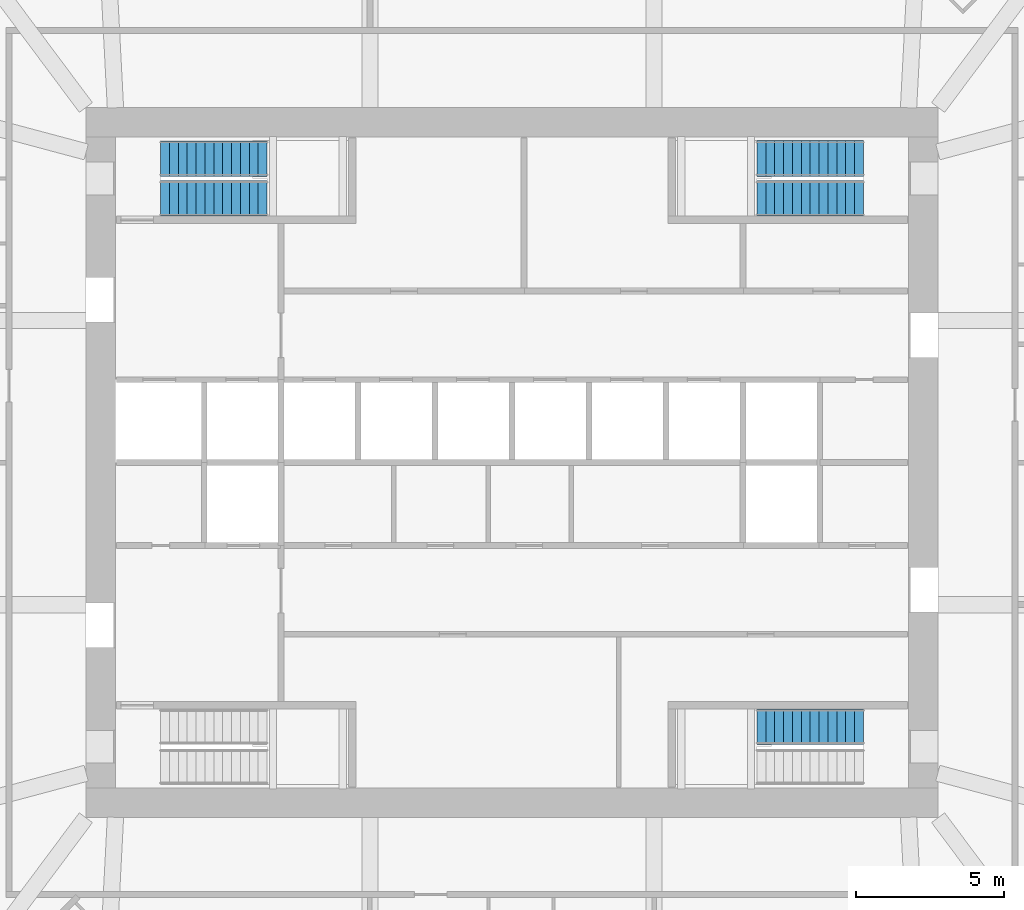
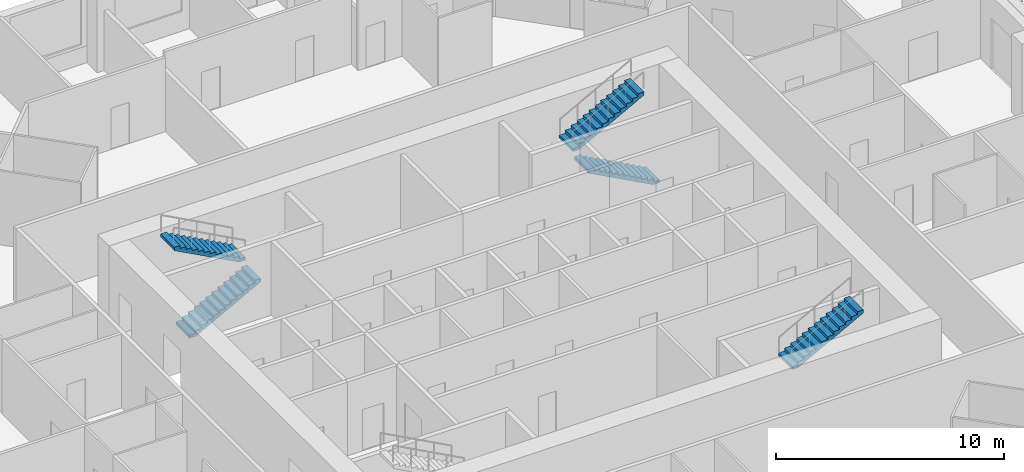
# One storey, part 11 of 13: 5 stair flights, 3 elements without a shape of their own.
"""IFC4 building model written with IfcOpenShell, lengths in metres."""

import ifcopenshell
import ifcopenshell.guid

model = None  # the IFC model being written
_history = None  # IfcOwnerHistory: only IFC2X3 demands one
_inside = {}  # id of a spatial element -> (the spatial element, [elements in it])
_under = {}  # id of a project, library or spatial element -> (it, [spatial elements below it])
_declared = {}  # id of a project -> (the project, [libraries it declares])
_typed = {}  # id of a type object -> (the type object, [elements of that type])
_made_of = {}  # id of a material, layer set ... -> (it, [elements and type objects made of it])


def new_model(schema):
    """Start an empty IFC model of exactly this schema.

    Asked for "IFC4X3", IfcOpenShell would pick the latest addendum, in which some entities
    have other attributes; the version numbers below select the first issue.
    IFC2X3 requires an IfcOwnerHistory on every rooted entity: one is made here for all.
    """
    global model, _history
    if schema == "IFC4X3":
        model = ifcopenshell.file(schema_version=(4, 3, 0, 0))
    else:
        model = ifcopenshell.file(schema=schema)
    _inside.clear()
    _under.clear()
    _declared.clear()
    _typed.clear()
    _made_of.clear()
    _history = None
    if model.schema == "IFC2X3":
        org = make("IfcOrganization", Name="unknown")
        user = make(
            "IfcPersonAndOrganization",
            ThePerson=make("IfcPerson", FamilyName="unknown"),
            TheOrganization=org,
        )
        app = make(
            "IfcApplication",
            ApplicationDeveloper=org,
            Version="unknown",
            ApplicationFullName="unknown",
            ApplicationIdentifier="unknown",
        )
        _history = make(
            "IfcOwnerHistory",
            OwningUser=user,
            OwningApplication=app,
            ChangeAction="ADDED",
            CreationDate=0,
        )
    return model


def make(cls, **values):
    """One entity of the class cls with the attributes given. An attribute that is None is left unset."""
    return model.create_entity(
        cls, **{name: value for name, value in values.items() if value is not None}
    )


def rooted(cls, **values):
    """An entity with a GlobalId (a new one), such as an element, a storey or a relation."""
    return make(cls, GlobalId=ifcopenshell.guid.new(), OwnerHistory=_history, **values)


def si_unit(unit_type, name, prefix=None):
    """IfcSIUnit, for example si_unit("LENGTHUNIT", "METRE", prefix="MILLI")."""
    return make("IfcSIUnit", UnitType=unit_type, Prefix=prefix, Name=name)


def assignment(units):
    """IfcUnitAssignment: the units of a project."""
    return None if units is None else make("IfcUnitAssignment", Units=units)


def point(xyz):
    """IfcCartesianPoint."""
    return None if xyz is None else make("IfcCartesianPoint", Coordinates=xyz)


def direction(xyz):
    """IfcDirection."""
    return None if xyz is None else make("IfcDirection", DirectionRatios=xyz)


def frame(location, z_axis=None, x_axis=None):
    """IfcAxis2Placement3D, a coordinate frame: its origin and axes. An axis left out is left unset."""
    return make(
        "IfcAxis2Placement3D",
        Location=point(location),
        Axis=direction(z_axis),
        RefDirection=direction(x_axis),
    )


def origin():
    """The frame at (0, 0, 0) with its axes left unset."""
    return frame((0.0, 0.0, 0.0))


def place(relative_to, where):
    """IfcLocalPlacement: puts the frame where relative to a parent placement (None: the world)."""
    return make(
        "IfcLocalPlacement", PlacementRelTo=relative_to, RelativePlacement=where
    )


def context(
    kind, dimensions, precision=None, world=None, true_north=None, identifier=None
):
    """IfcGeometricRepresentationContext, for example the 3D "Model" context."""
    return make(
        "IfcGeometricRepresentationContext",
        ContextIdentifier=identifier,
        ContextType=kind,
        CoordinateSpaceDimension=dimensions,
        Precision=precision,
        WorldCoordinateSystem=world,
        TrueNorth=true_north,
    )


def subcontext(parent, identifier, kind, view, scale=None):
    """IfcGeometricRepresentationSubContext, for example "Body" below "Model"."""
    return make(
        "IfcGeometricRepresentationSubContext",
        ContextIdentifier=identifier,
        ContextType=kind,
        ParentContext=parent,
        TargetScale=scale,
        TargetView=view,
    )


def project(units=None, contexts=None):
    """IfcProject with its units and contexts."""
    return rooted(
        "IfcProject",
        Name="project",
        RepresentationContexts=contexts,
        UnitsInContext=assignment(units),
    )


def spatial(cls, under=None, at=None, **own):
    """A site, building, storey or space (cls), placed at a placement, below another one or the project."""
    s = rooted(cls, ObjectPlacement=at, **own)
    if under is not None:
        _under.setdefault(under.id(), (under, []))[1].append(s)
    return s


def polyline(points):
    """IfcPolyline through the points."""
    return make("IfcPolyline", Points=[point(p) for p in points])


def outline(outer, holes=None, kind="AREA"):
    """IfcArbitraryClosedProfileDef: a profile drawn as a closed curve; with holes, ...WithVoids."""
    if holes is None:
        return make("IfcArbitraryClosedProfileDef", ProfileType=kind, OuterCurve=outer)
    return make(
        "IfcArbitraryProfileDefWithVoids",
        ProfileType=kind,
        OuterCurve=outer,
        InnerCurves=holes,
    )


def extrude(swept, where, along, depth):
    """IfcExtrudedAreaSolid: the profile swept, set in the frame where, extruded along a direction by depth."""
    return make(
        "IfcExtrudedAreaSolid",
        SweptArea=swept,
        Position=where,
        ExtrudedDirection=direction(along),
        Depth=depth,
    )


def shape(context_of_items, identifier, shape_type, items):
    """IfcShapeRepresentation: the items that make up one representation, for example the "Body"."""
    return make(
        "IfcShapeRepresentation",
        ContextOfItems=context_of_items,
        RepresentationIdentifier=identifier,
        RepresentationType=shape_type,
        Items=items,
    )


def material(Name=None, Category=None):
    """IfcMaterial."""
    return make("IfcMaterial", Name=Name, Category=Category)


def made_of(thing, what):
    """Note that an element or type object is made of a material, layer set ...; save() writes the relation."""
    if what is not None:
        _made_of.setdefault(what.id(), (what, []))[1].append(thing)
    return thing


def type_object(cls, material=None, **own):
    """A type object (cls), such as IfcWallType, which elements share."""
    return made_of(rooted(cls, **own), material)


def element(
    cls,
    number,
    at=None,
    inside=None,
    cuts=None,
    type_object=None,
    material=None,
    context=None,
    identifier="Body",
    shape_type=None,
    held_by="IfcProductDefinitionShape",
    body=None,
    shapes=None,
    **own,
):
    """One element of the class cls, such as IfcWall. Its Tag is "e" and its number.

    at: its placement. inside: the storey or other place that contains it. cuts: it is an
    opening in that element (IfcRelVoidsElement). A single representation is given by context,
    identifier, shape_type and body (its items); several are given by shapes. held_by: the class
    of the entity that holds the representations. save() writes the other relations.
    """
    e = rooted(cls, Tag="e%d" % number, ObjectPlacement=at, **own)
    if body is not None:
        shapes = [shape(context, identifier, shape_type, body)]
    if shapes is not None:
        e.Representation = make(held_by, Representations=shapes)
    if inside is not None:
        _inside.setdefault(inside.id(), (inside, []))[1].append(e)
    if cuts is not None:
        rooted(
            "IfcRelVoidsElement", RelatingBuildingElement=cuts, RelatedOpeningElement=e
        )
    if type_object is not None:
        _typed.setdefault(type_object.id(), (type_object, []))[1].append(e)
    return made_of(e, material)


def aggregate(whole, parts):
    """IfcRelAggregates: a whole, such as a stair, and the parts it consists of."""
    return rooted("IfcRelAggregates", RelatingObject=whole, RelatedObjects=parts)


def save(model, path):
    """Write the relations noted so far, then the file.

    IfcRelAggregates (storeys below a building ...), IfcRelContainedInSpatialStructure (elements
    in a storey), IfcRelDefinesByType, IfcRelAssociatesMaterial and IfcRelDeclares: one each for
    every whole, place, type object, material and project.
    """
    for whole, parts in _under.values():
        aggregate(whole, parts)
    for where, things in _inside.values():
        rooted(
            "IfcRelContainedInSpatialStructure",
            RelatedElements=things,
            RelatingStructure=where,
        )
    for kind, things in _typed.values():
        rooted("IfcRelDefinesByType", RelatedObjects=things, RelatingType=kind)
    for what, things in _made_of.values():
        rooted("IfcRelAssociatesMaterial", RelatedObjects=things, RelatingMaterial=what)
    for by, libraries in _declared.values():
        rooted("IfcRelDeclares", RelatingContext=by, RelatedDefinitions=libraries)
    model.write(path)


model = new_model("IFC4")

# Units and contexts
model_context = context("Model", 3, precision=1e-05, world=origin(), true_north=direction((0.0, 1.0)))
body_context = subcontext(model_context, "Body", "Model", "MODEL_VIEW")
ifc_project = project(units=[si_unit("LENGTHUNIT", "METRE"), si_unit("AREAUNIT", "SQUARE_METRE"), si_unit("VOLUMEUNIT", "CUBIC_METRE"), si_unit("PLANEANGLEUNIT", "RADIAN"), si_unit("MASSUNIT", "GRAM", prefix="KILO")], contexts=[model_context])

# Site, building, storey
site_placement = place(None, origin())
site = spatial("IfcSite", under=ifc_project, at=site_placement, CompositionType="ELEMENT")
building_placement = place(site_placement, origin())
building = spatial("IfcBuilding", under=site, at=building_placement, Name="Msitu Wima Residences", CompositionType="ELEMENT")
storey_placement = place(building_placement, frame((0.0, 0.0, 59.10009765625)))
storey = spatial("IfcBuildingStorey", under=building, at=storey_placement, Name="L13", CompositionType="ELEMENT", Elevation=59.10009765625)

# Stair, stair flights
ifc_material = material(Name="Concrete C40/50", Category="concrete")
stair_type = type_object("IfcStairType", Name="Exit stair ES1615-120", PredefinedType="HALF_TURN_STAIR", material=ifc_material)
stair_1_placement = place(storey_placement, origin())
stair_1 = element("IfcStair", 1, at=stair_1_placement, inside=storey, type_object=stair_type, Name="Exit stair 1", PredefinedType="HALF_TURN_STAIR")
stair_flight_type = type_object("IfcStairFlightType", Name="Exit stair flight ES1615-120", PredefinedType="STRAIGHT", material=ifc_material)
stair_flight_1_placement = place(storey_placement, frame((-11.875, 8.925048828125, 0.0), z_axis=(0.0, 0.0, 1.0), x_axis=(1.0, 0.0, 0.0)))
stair_flight_1 = element("IfcStairFlight", 2, at=stair_flight_1_placement, type_object=stair_flight_type, Name="S1 flight 1", NumberOfRisers=13, NumberOfTreads=12, PredefinedType="STRAIGHT", RiserHeight=0.161538462, TreadLength=0.3, context=body_context, shape_type="SweptSolid", body=[
    extrude(outline(polyline([(0.0, 0.0), (0.0, 0.16162109375), (0.300048828125, 0.16162109375), (0.300048828125, 0.322998046875), (0.60009765625, 0.322998046875), (0.60009765625, 0.484619140625), (0.89990234375, 0.484619140625), (0.89990234375, 0.646240234375), (1.199951171875, 0.646240234375), (1.199951171875, 0.8076171875), (1.5, 0.8076171875), (1.5, 0.96923828125), (1.800048828125, 0.96923828125), (1.800048828125, 1.130859375), (2.10009765625, 1.130859375), (2.10009765625, 1.292236328125), (2.39990234375, 1.292236328125), (2.39990234375, 1.453857421875), (2.699951171875, 1.453857421875), (2.699951171875, 1.615478515625), (3.0, 1.615478515625), (3.0, 1.77685546875), (3.300048828125, 1.77685546875), (3.300048828125, 1.9384765625), (3.60009765625, 1.9384765625), (3.60009765625, 2.10009765625), (3.60009765625, 1.768310546875), (0.316162109375, 0.0), (0.0, 0.0)])), frame((0.0, 0.60009765625, 0.0), z_axis=(0.0, -1.0, 0.0), x_axis=(1.0, 0.0, 0.0)), (0.0, 0.0, 1.0), 1.199951171875),
])
stair_flight_2_placement = place(storey_placement, frame((-8.27490234375, 10.27490234375, 2.099853515625), z_axis=(0.0, 0.0, 1.0), x_axis=(-1.0, 0.0, 0.0)))
stair_flight_2 = element("IfcStairFlight", 3, at=stair_flight_2_placement, type_object=stair_flight_type, Name="S1 flight 2", NumberOfRisers=13, NumberOfTreads=12, PredefinedType="STRAIGHT", RiserHeight=0.161538462, TreadLength=0.3, context=body_context, shape_type="SweptSolid", body=[
    extrude(outline(polyline([(0.0, 0.0), (0.0, 0.16162109375), (0.300048828125, 0.16162109375), (0.300048828125, 0.322998046875), (0.60009765625, 0.322998046875), (0.60009765625, 0.484619140625), (0.89990234375, 0.484619140625), (0.89990234375, 0.646240234375), (1.199951171875, 0.646240234375), (1.199951171875, 0.8076171875), (1.5, 0.8076171875), (1.5, 0.96923828125), (1.800048828125, 0.96923828125), (1.800048828125, 1.130859375), (2.10009765625, 1.130859375), (2.10009765625, 1.292236328125), (2.39990234375, 1.292236328125), (2.39990234375, 1.453857421875), (2.699951171875, 1.453857421875), (2.699951171875, 1.615478515625), (3.0, 1.615478515625), (3.0, 1.77685546875), (3.300048828125, 1.77685546875), (3.300048828125, 1.9384765625), (3.60009765625, 1.9384765625), (3.60009765625, 2.10009765625), (3.60009765625, 1.768310546875), (0.316162109375, 0.0), (0.0, 0.0)])), frame((0.0, 0.60009765625, 0.0), z_axis=(0.0, -1.0, 0.0), x_axis=(1.0, 0.0, 0.0)), (0.0, 0.0, 1.0), 1.199951171875),
])
aggregate(stair_1, [stair_flight_1, stair_flight_2])

stair_2_placement = place(storey_placement, origin())
stair_2 = element("IfcStair", 4, at=stair_2_placement, inside=storey, type_object=stair_type, Name="Exit stair 3", PredefinedType="HALF_TURN_STAIR")
stair_flight_3_placement = place(storey_placement, frame((11.875, 8.925048828125, 0.0), z_axis=(0.0, 0.0, 1.0), x_axis=(-1.0, 0.0, 0.0)))
stair_flight_3 = element("IfcStairFlight", 5, at=stair_flight_3_placement, type_object=stair_flight_type, Name="S3 flight 1", NumberOfRisers=13, NumberOfTreads=12, PredefinedType="STRAIGHT", RiserHeight=0.161538462, TreadLength=0.3, context=body_context, shape_type="SweptSolid", body=[
    extrude(outline(polyline([(0.0, 0.0), (0.0, 0.16162109375), (0.300048828125, 0.16162109375), (0.300048828125, 0.322998046875), (0.60009765625, 0.322998046875), (0.60009765625, 0.484619140625), (0.89990234375, 0.484619140625), (0.89990234375, 0.646240234375), (1.199951171875, 0.646240234375), (1.199951171875, 0.8076171875), (1.5, 0.8076171875), (1.5, 0.96923828125), (1.800048828125, 0.96923828125), (1.800048828125, 1.130859375), (2.10009765625, 1.130859375), (2.10009765625, 1.292236328125), (2.39990234375, 1.292236328125), (2.39990234375, 1.453857421875), (2.699951171875, 1.453857421875), (2.699951171875, 1.615478515625), (3.0, 1.615478515625), (3.0, 1.77685546875), (3.300048828125, 1.77685546875), (3.300048828125, 1.9384765625), (3.60009765625, 1.9384765625), (3.60009765625, 2.10009765625), (3.60009765625, 1.768310546875), (0.316162109375, 0.0), (0.0, 0.0)])), frame((0.0, 0.60009765625, 0.0), z_axis=(0.0, -1.0, 0.0), x_axis=(1.0, 0.0, 0.0)), (0.0, 0.0, 1.0), 1.199951171875),
])
stair_flight_4_placement = place(storey_placement, frame((8.27490234375, 10.27490234375, 2.099853515625), z_axis=(0.0, 0.0, 1.0), x_axis=(1.0, 0.0, 0.0)))
stair_flight_4 = element("IfcStairFlight", 6, at=stair_flight_4_placement, type_object=stair_flight_type, Name="S3 flight 2", NumberOfRisers=13, NumberOfTreads=12, PredefinedType="STRAIGHT", RiserHeight=0.161538462, TreadLength=0.3, context=body_context, shape_type="SweptSolid", body=[
    extrude(outline(polyline([(0.0, 0.0), (0.0, 0.16162109375), (0.300048828125, 0.16162109375), (0.300048828125, 0.322998046875), (0.60009765625, 0.322998046875), (0.60009765625, 0.484619140625), (0.89990234375, 0.484619140625), (0.89990234375, 0.646240234375), (1.199951171875, 0.646240234375), (1.199951171875, 0.8076171875), (1.5, 0.8076171875), (1.5, 0.96923828125), (1.800048828125, 0.96923828125), (1.800048828125, 1.130859375), (2.10009765625, 1.130859375), (2.10009765625, 1.292236328125), (2.39990234375, 1.292236328125), (2.39990234375, 1.453857421875), (2.699951171875, 1.453857421875), (2.699951171875, 1.615478515625), (3.0, 1.615478515625), (3.0, 1.77685546875), (3.300048828125, 1.77685546875), (3.300048828125, 1.9384765625), (3.60009765625, 1.9384765625), (3.60009765625, 2.10009765625), (3.60009765625, 1.768310546875), (0.316162109375, 0.0), (0.0, 0.0)])), frame((0.0, 0.60009765625, 0.0), z_axis=(0.0, -1.0, 0.0), x_axis=(1.0, 0.0, 0.0)), (0.0, 0.0, 1.0), 1.199951171875),
])
aggregate(stair_2, [stair_flight_3, stair_flight_4])

# Stair, stair flight
stair_3_placement = place(storey_placement, origin())
stair_3 = element("IfcStair", 7, at=stair_3_placement, inside=storey, type_object=stair_type, Name="Exit stair 4", PredefinedType="HALF_TURN_STAIR")
stair_flight_5_placement = place(storey_placement, frame((8.27490234375, -8.925048828125, 2.099853515625), z_axis=(0.0, 0.0, 1.0), x_axis=(1.0, 0.0, 0.0)))
stair_flight_5 = element("IfcStairFlight", 8, at=stair_flight_5_placement, type_object=stair_flight_type, Name="S4 flight 2", NumberOfRisers=13, NumberOfTreads=12, PredefinedType="STRAIGHT", RiserHeight=0.161538462, TreadLength=0.3, context=body_context, shape_type="SweptSolid", body=[
    extrude(outline(polyline([(0.0, 0.0), (0.0, 0.16162109375), (0.300048828125, 0.16162109375), (0.300048828125, 0.322998046875), (0.60009765625, 0.322998046875), (0.60009765625, 0.484619140625), (0.89990234375, 0.484619140625), (0.89990234375, 0.646240234375), (1.199951171875, 0.646240234375), (1.199951171875, 0.8076171875), (1.5, 0.8076171875), (1.5, 0.96923828125), (1.800048828125, 0.96923828125), (1.800048828125, 1.130859375), (2.10009765625, 1.130859375), (2.10009765625, 1.292236328125), (2.39990234375, 1.292236328125), (2.39990234375, 1.453857421875), (2.699951171875, 1.453857421875), (2.699951171875, 1.615478515625), (3.0, 1.615478515625), (3.0, 1.77685546875), (3.300048828125, 1.77685546875), (3.300048828125, 1.9384765625), (3.60009765625, 1.9384765625), (3.60009765625, 2.10009765625), (3.60009765625, 1.768310546875), (0.316162109375, 0.0), (0.0, 0.0)])), frame((0.0, 0.60009765625, 0.0), z_axis=(0.0, -1.0, 0.0), x_axis=(1.0, 0.0, 0.0)), (0.0, 0.0, 1.0), 1.199951171875),
])
aggregate(stair_3, [stair_flight_5])

save(model, "model.ifc")
